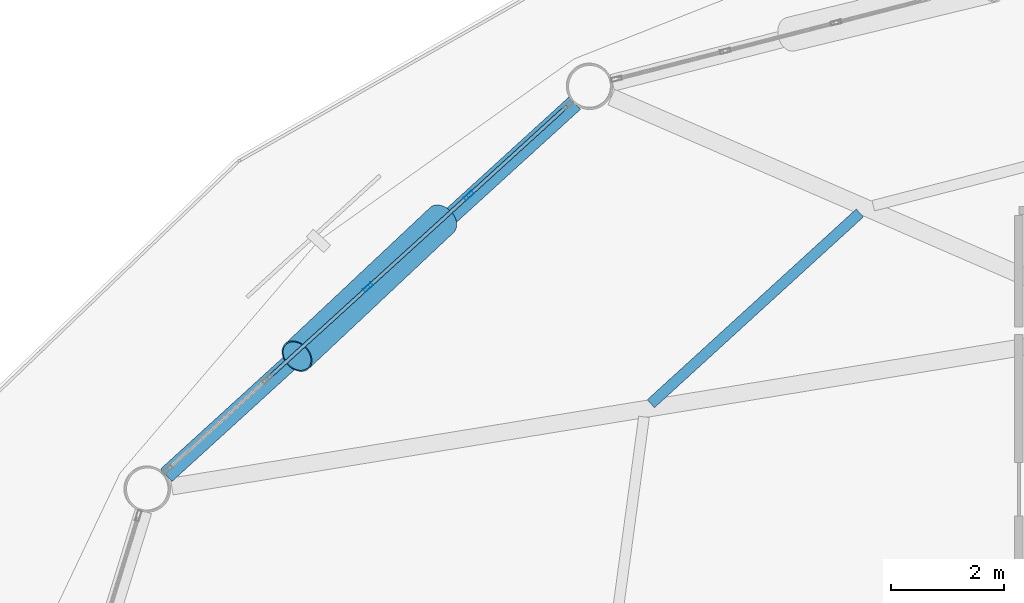
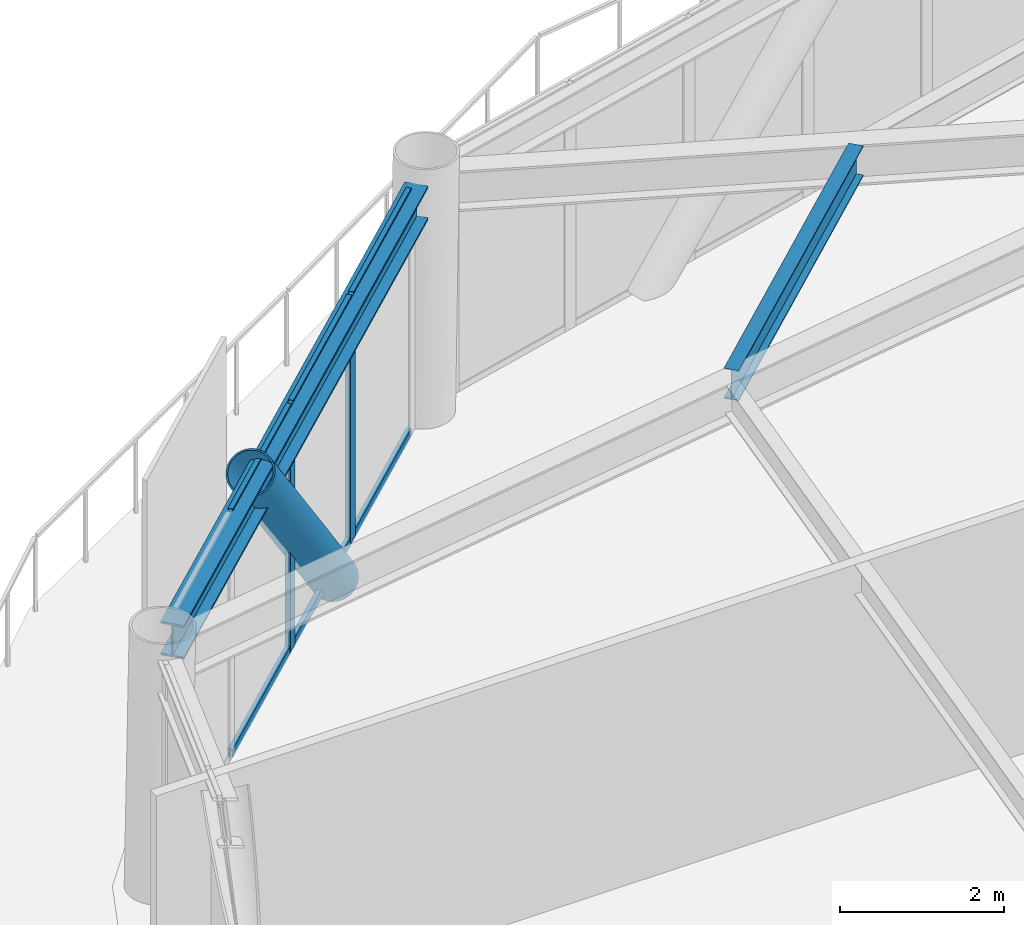
# One storey, part 15 of 24: 9 members, 2 beams, 1 element without a shape of its own.
"""IFC4 building model written with IfcOpenShell, lengths in metres."""

from ifc_helpers import new_model, si_unit, direction, frame, origin, origin_2d, place, context, subcontext, project, spatial, hollow_rectangle, hollow_circle, i_section, extrude, material, layer, layer_set, material_profile, profile_set, type_object, element, aggregate, save


model = new_model("IFC4")

# Units and contexts
model_context = context("Model", 3, precision=1e-05, world=origin(), true_north=direction((0.0, 1.0)))
body_context = subcontext(model_context, "Body", "Model", "MODEL_VIEW")
ifc_project = project(units=[si_unit("LENGTHUNIT", "METRE"), si_unit("AREAUNIT", "SQUARE_METRE"), si_unit("VOLUMEUNIT", "CUBIC_METRE"), si_unit("PLANEANGLEUNIT", "RADIAN"), si_unit("MASSUNIT", "GRAM", prefix="KILO")], contexts=[model_context])

# Site, building, storey
site_placement = place(None, origin())
site = spatial("IfcSite", under=ifc_project, at=site_placement, CompositionType="ELEMENT")
building_placement = place(site_placement, origin())
building = spatial("IfcBuilding", under=site, at=building_placement, Name="Varnakorn Sky Granary", CompositionType="ELEMENT")
storey_placement = place(building_placement, frame((0.0, 0.0, 103.199951171875)))
storey = spatial("IfcBuildingStorey", under=building, at=storey_placement, Name="L25", CompositionType="ELEMENT", Elevation=103.199951171875)

# Beams
ifc_material_1 = material(Name="Steel S355JR", Category="steel")
ifc_material_profile_1 = material_profile(ifc_material_1, i_section(OverallWidth=0.18994140625, OverallDepth=0.449951171875, WebThickness=0.009521484375, FlangeThickness=0.0146484375, at=origin_2d()), Name="IPE 450")
ifc_profile_set_1 = profile_set([ifc_material_profile_1], Name="Steel S355JR")
beam_type_1 = type_object("IfcBeamType", Name="BM-SEC-Z2", PredefinedType="BEAM", material=ifc_profile_set_1)
beam_1_placement = place(storey_placement, frame((-7.422119140625, 14.655029296875, 3.4150390625), z_axis=(-0.738596051895, -0.674148256784, 0.0), x_axis=(0.674148256784, -0.738596051895, 0.0)))
element("IfcBeam", 1, at=beam_1_placement, inside=storey, type_object=beam_type_1, Name="Secondary Floor Chord Beam MSB05 L25", PredefinedType="BEAM", context=body_context, shape_type="SweptSolid", body=[
    extrude(i_section(OverallWidth=0.18994140625, OverallDepth=0.449951171875, WebThickness=0.009521484375, FlangeThickness=0.0146484375, at=origin_2d()), origin(), (0.0, 0.0, 1.0), 5.019287109375),
])
ifc_material_profile_2 = material_profile(ifc_material_1, i_section(OverallWidth=0.300048828125, OverallDepth=0.5, WebThickness=0.014404296875, FlangeThickness=0.028076171875, at=origin_2d()), Name="HE 500 B")
ifc_profile_set_2 = profile_set([ifc_material_profile_2], Name="Steel S355JR")
beam_type_2 = type_object("IfcBeamType", Name="BM-SPD-Z2", PredefinedType="SPANDREL", material=ifc_profile_set_2)
beam_2_placement = place(storey_placement, frame((-12.48046875, 16.60400390625, 3.39013671875), z_axis=(-0.739273749752, -0.67340502146, 0.0), x_axis=(0.67340502146, -0.739273749752, 0.0)))
element("IfcBeam", 2, at=beam_2_placement, inside=storey, type_object=beam_type_2, Name="Perimeter Spandrel Ring Beam RB05 L25", PredefinedType="SPANDREL", context=body_context, shape_type="SweptSolid", body=[
    extrude(i_section(OverallWidth=0.300048828125, OverallDepth=0.5, WebThickness=0.014404296875, FlangeThickness=0.028076171875, at=origin_2d()), origin(), (0.0, 0.0, 1.0), 9.8037109375),
])

# Curtain wall, members
ifc_material_2 = material(Name="Anodised Bronze Aluminium Alloy 6063-T6", Category="aluminium")
ifc_layer = layer(ifc_material_2, 0.179931640625, Name="Anodised Bronze Aluminium Alloy 6063-T6")
ifc_layer_set = layer_set([ifc_layer], Name="Anodised Bronze Aluminium Alloy 6063-T6")
curtain_wall_type = type_object("IfcCurtainWallType", Name="CW-FRM-2", PredefinedType="USERDEFINED", material=ifc_layer_set)
curtain_wall_placement = place(storey_placement, origin())
curtain_wall = element("IfcCurtainWall", 3, at=curtain_wall_placement, inside=storey, type_object=curtain_wall_type, Name="Unitised Curtain Wall CW4 CW-L25-B05", ObjectType="CURTAIN WALL", PredefinedType="USERDEFINED")
ifc_material_profile_3 = material_profile(ifc_material_2, hollow_rectangle(XDim=0.070068359375, YDim=0.18505859375, WallThickness=0.00390625, at=origin_2d()), Name="ALU MULL 70x185")
ifc_profile_set_3 = profile_set([ifc_material_profile_3], Name="Anodised Bronze Aluminium Alloy 6063-T6")
member_type_1 = type_object("IfcMemberType", Name="CW-FRM-2-MULL", PredefinedType="MULLION", material=ifc_profile_set_3)
member_1_placement = place(storey_placement, frame((-16.149169921875, 13.335693359375, 0.0), z_axis=(0.0, 0.0, 1.0), x_axis=(-0.673184597183, 0.739474474282, 0.0)))
member_1 = element("IfcMember", 4, at=member_1_placement, type_object=member_type_1, Name="CW4 mullion 3", PredefinedType="MULLION", context=body_context, shape_type="SweptSolid", body=[
    extrude(hollow_rectangle(XDim=0.070068359375, YDim=0.18505859375, WallThickness=0.00390625, at=origin_2d()), origin(), (0.0, 0.0, 1.0), 3.64013671875),
])
member_2_placement = place(storey_placement, frame((-14.359130859375, 14.96533203125, 0.0), z_axis=(0.0, 0.0, 1.0), x_axis=(-0.673184597183, 0.739474474282, 0.0)))
member_2 = element("IfcMember", 5, at=member_2_placement, type_object=member_type_1, Name="CW4 mullion 4", PredefinedType="MULLION", context=body_context, shape_type="SweptSolid", body=[
    extrude(hollow_rectangle(XDim=0.070068359375, YDim=0.18505859375, WallThickness=0.00390625, at=origin_2d()), origin(), (0.0, 0.0, 1.0), 3.64013671875),
])
ifc_material_profile_4 = material_profile(ifc_material_2, hollow_rectangle(XDim=0.06494140625, YDim=0.1201171875, WallThickness=0.00341796875, at=origin_2d()), Name="ALU TRAN 65x120")
ifc_profile_set_4 = profile_set([ifc_material_profile_4], Name="Anodised Bronze Aluminium Alloy 6063-T6")
member_type_2 = type_object("IfcMemberType", Name="CW-FRM-2-TRAN", PredefinedType="USERDEFINED", material=ifc_profile_set_4)
member_3_placement = place(storey_placement, frame((-17.91357421875, 11.729736328125, 0.032470703125), z_axis=(0.739507608661, 0.673148198194, 0.0), x_axis=(-0.673148198194, 0.739507608661, 0.0)))
member_3 = element("IfcMember", 6, at=member_3_placement, type_object=member_type_2, Name="CW4 transom 2.1", ObjectType="TRANSOM", PredefinedType="USERDEFINED", context=body_context, shape_type="SweptSolid", body=[
    extrude(hollow_rectangle(XDim=0.06494140625, YDim=0.1201171875, WallThickness=0.00341796875, at=origin_2d()), origin(), (0.0, 0.0, 1.0), 2.350830078125),
])
member_4_placement = place(storey_placement, frame((-17.91357421875, 11.729736328125, 3.607666015625), z_axis=(0.739507608661, 0.673148198194, 0.0), x_axis=(-0.673148198194, 0.739507608661, 0.0)))
member_4 = element("IfcMember", 7, at=member_4_placement, type_object=member_type_2, Name="CW4 transom 2.2", ObjectType="TRANSOM", PredefinedType="USERDEFINED", context=body_context, shape_type="SweptSolid", body=[
    extrude(hollow_rectangle(XDim=0.06494140625, YDim=0.1201171875, WallThickness=0.00341796875, at=origin_2d()), origin(), (0.0, 0.0, 1.0), 2.350830078125),
])
member_5_placement = place(storey_placement, frame((-16.123291015625, 13.359375, 0.032470703125), z_axis=(0.73946054637, 0.673199896288, 0.0), x_axis=(-0.673199896288, 0.73946054637, 0.0)))
member_5 = element("IfcMember", 8, at=member_5_placement, type_object=member_type_2, Name="CW4 transom 3.1", ObjectType="TRANSOM", PredefinedType="USERDEFINED", context=body_context, shape_type="SweptSolid", body=[
    extrude(hollow_rectangle(XDim=0.06494140625, YDim=0.1201171875, WallThickness=0.00341796875, at=origin_2d()), origin(), (0.0, 0.0, 1.0), 2.350830078125),
])
member_6_placement = place(storey_placement, frame((-16.123291015625, 13.359375, 3.607666015625), z_axis=(0.73946054637, 0.673199896288, 0.0), x_axis=(-0.673199896288, 0.73946054637, 0.0)))
member_6 = element("IfcMember", 9, at=member_6_placement, type_object=member_type_2, Name="CW4 transom 3.2", ObjectType="TRANSOM", PredefinedType="USERDEFINED", context=body_context, shape_type="SweptSolid", body=[
    extrude(hollow_rectangle(XDim=0.06494140625, YDim=0.1201171875, WallThickness=0.00341796875, at=origin_2d()), origin(), (0.0, 0.0, 1.0), 2.350830078125),
])
member_7_placement = place(storey_placement, frame((-14.333251953125, 14.989013671875, 0.032470703125), z_axis=(0.739434217415, 0.673228815571, 0.0), x_axis=(-0.673228815571, 0.739434217415, 0.0)))
member_7 = element("IfcMember", 10, at=member_7_placement, type_object=member_type_2, Name="CW4 transom 4.1", ObjectType="TRANSOM", PredefinedType="USERDEFINED", context=body_context, shape_type="SweptSolid", body=[
    extrude(hollow_rectangle(XDim=0.06494140625, YDim=0.1201171875, WallThickness=0.00341796875, at=origin_2d()), origin(), (0.0, 0.0, 1.0), 2.31591796875),
])
member_8_placement = place(storey_placement, frame((-14.333251953125, 14.989013671875, 3.607666015625), z_axis=(0.739434217415, 0.673228815571, 0.0), x_axis=(-0.673228815571, 0.739434217415, 0.0)))
member_8 = element("IfcMember", 11, at=member_8_placement, type_object=member_type_2, Name="CW4 transom 4.2", ObjectType="TRANSOM", PredefinedType="USERDEFINED", context=body_context, shape_type="SweptSolid", body=[
    extrude(hollow_rectangle(XDim=0.06494140625, YDim=0.1201171875, WallThickness=0.00341796875, at=origin_2d()), origin(), (0.0, 0.0, 1.0), 2.31591796875),
])
aggregate(curtain_wall, [member_1, member_2, member_3, member_4, member_5, member_6, member_7, member_8])

# Member
ifc_material_3 = material(Name="Steel S460M", Category="steel")
ifc_material_profile_5 = material_profile(ifc_material_3, hollow_circle(Radius=0.304931640625, WallThickness=0.022216796875, at=origin_2d()), Name="CHS 610x22")
ifc_profile_set_5 = profile_set([ifc_material_profile_5], Name="Steel S460M")
member_type_3 = type_object("IfcMemberType", Name="MB-DIAG-T1", PredefinedType="BRACE", material=ifc_profile_set_5)
member_9_placement = place(storey_placement, frame((-14.8408203125, 14.52685546875, -0.1298828125), z_axis=(-0.48722747856, -0.457626950056, 0.743765392257), x_axis=(0.684618565647, -0.728901515687, 0.0)))
element("IfcMember", 12, at=member_9_placement, inside=storey, type_object=member_type_3, Name="Perimeter CHS Diagrid Brace DG05 L25", PredefinedType="BRACE", context=body_context, shape_type="SweptSolid", body=[
    extrude(hollow_circle(Radius=0.304931640625, WallThickness=0.022216796875, at=origin_2d()), origin(), (0.0, 0.0, 1.0), 5.270263671875),
])

save(model, "model.ifc")
